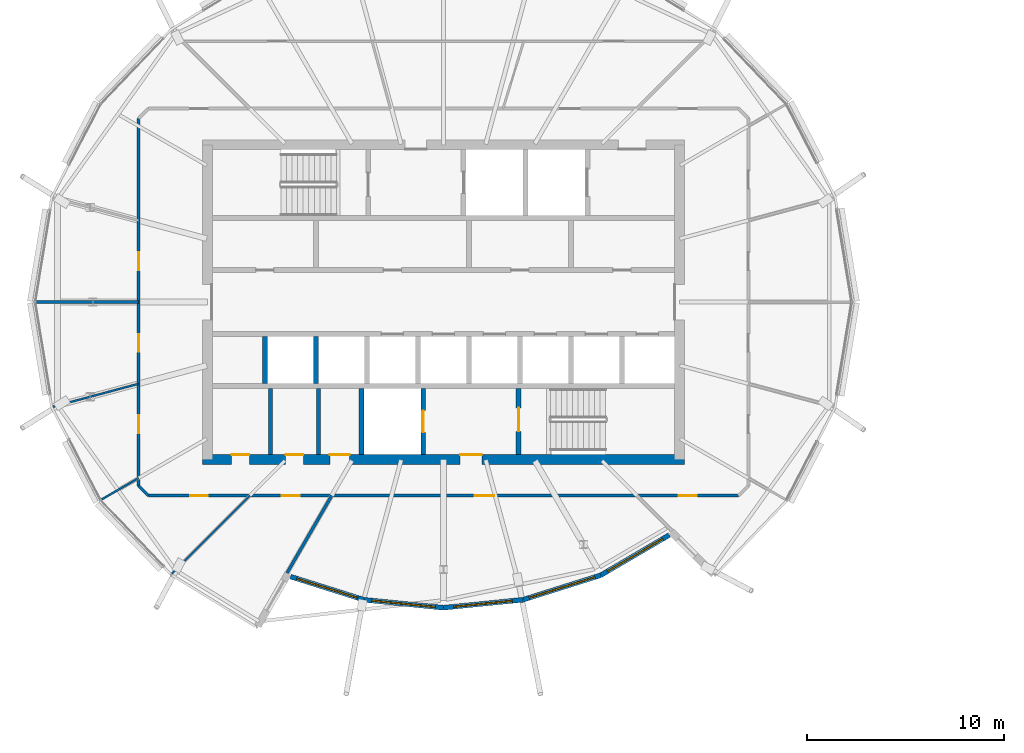
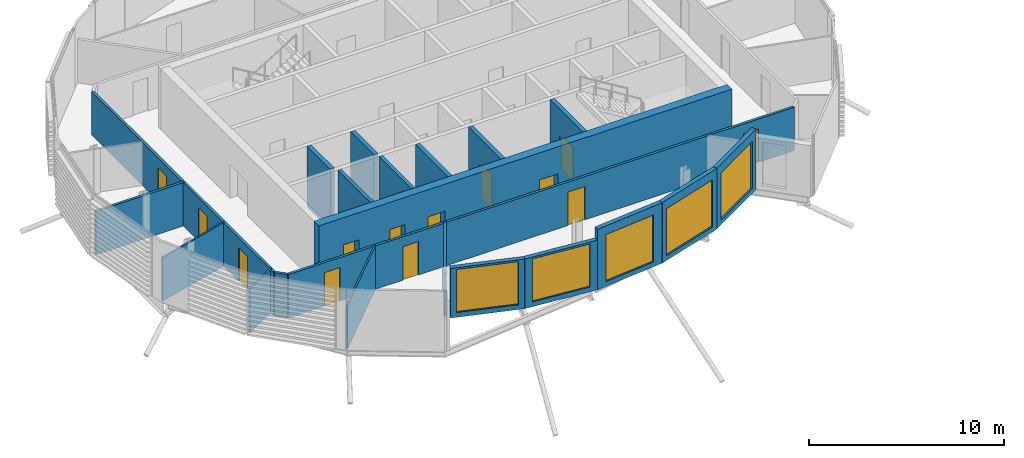
# One storey, part 16 of 35: 21 walls, 13 doors, 5 windows, 18 openings.
"""IFC4 building model written with IfcOpenShell, lengths in metres."""

from ifc_helpers import new_model, si_unit, direction, frame, frame_2d, origin, place, context, subcontext, project, spatial, rectangle, extrude, material, layer, layer_set, type_object, element, fill, save


model = new_model("IFC4")

# Units and contexts
model_context = context("Model", 3, precision=1e-05, world=origin(), true_north=direction((0.0, 1.0)))
body_context = subcontext(model_context, "Body", "Model", "MODEL_VIEW")
ifc_project = project(units=[si_unit("LENGTHUNIT", "METRE"), si_unit("AREAUNIT", "SQUARE_METRE"), si_unit("VOLUMEUNIT", "CUBIC_METRE"), si_unit("PLANEANGLEUNIT", "RADIAN"), si_unit("MASSUNIT", "GRAM", prefix="KILO")], contexts=[model_context])

# Site, building, storey
site_placement = place(None, origin())
site = spatial("IfcSite", under=ifc_project, at=site_placement, CompositionType="ELEMENT")
building_placement = place(site_placement, origin())
building = spatial("IfcBuilding", under=site, at=building_placement, Name="Rimbun Link Towers", CompositionType="ELEMENT")
storey_placement = place(building_placement, frame((0.0, 0.0, 225.699951171875)))
storey = spatial("IfcBuildingStorey", under=building, at=storey_placement, Name="L55", CompositionType="ELEMENT", Elevation=225.699951171875)

# Wall, opening, window
ifc_material_1 = material(Name="Dark enamelled glass spandrel on insulated aluminium backpan", Category="aluminium")
ifc_layer_1 = layer(ifc_material_1, 0.25)
ifc_layer_set_1 = layer_set([ifc_layer_1], Name="CS dark enamelled spandrel wall 250")
wall_type_1 = type_object("IfcWallType", Name="CS dark enamelled spandrel wall 250", PredefinedType="STANDARD", material=ifc_layer_set_1)
wall_1_placement = place(storey_placement, frame((-35.79931640625, -15.140625, 0.0), z_axis=(0.0, 0.0, 1.0), x_axis=(-0.953630833342, 0.300978792773, 0.0)))
wall_1 = element("IfcWall", 1, at=wall_1_placement, inside=storey, type_object=wall_type_1, Name="Crease spandrel wall", PredefinedType="STANDARD", context=body_context, shape_type="SweptSolid", body=[
    extrude(rectangle(XDim=3.90576171875, YDim=0.25, at=frame_2d((1.952880859375, 0.0))), origin(), (0.0, 0.0, 1.0), 3.116943359375),
])
opening_1_placement = place(wall_1_placement, frame((0.327880859375, 0.0, 0.300048828125)))
opening_1 = element("IfcOpeningElement", 2, at=opening_1_placement, cuts=wall_1, Name="Opening WR32H270", PredefinedType="OPENING", context=body_context, shape_type="SweptSolid", body=[
    extrude(rectangle(XDim=3.25, YDim=2.699951171875, at=frame_2d((1.625, 1.35009765625))), frame((0.0, 0.135009765625, 0.0), z_axis=(0.0, -1.0, 0.0), x_axis=(1.0, 0.0, 0.0)), (0.0, 0.0, 1.0), 0.27001953125),
])
ifc_material_2 = material(Name="Aluminium framed fixed window, dark tinted low-e glass", Category="aluminium")
window_type_1 = type_object("IfcWindowType", Name="WR ribbon window 3250X2700", PartitioningType="SINGLE_PANEL", PredefinedType="WINDOW", material=ifc_material_2)
window_1_placement = place(opening_1_placement, origin())
window_1 = element("IfcWindow", 3, at=window_1_placement, inside=storey, type_object=window_type_1, Name="Crease ribbon window", OverallHeight=2.699951171875, OverallWidth=3.25, PartitioningType="SINGLE_PANEL", PredefinedType="WINDOW", context=body_context, shape_type="SweptSolid", body=[
    extrude(rectangle(XDim=3.25, YDim=2.699951171875, at=frame_2d((1.625, 1.35009765625))), frame((0.0, 0.030029296875, 0.0), z_axis=(0.0, -1.0, 0.0), x_axis=(1.0, 0.0, 0.0)), (0.0, 0.0, 1.0), 0.06005859375),
])
fill(opening_1, window_1)

wall_2_placement = place(storey_placement, frame((-31.75, -15.5458984375, 0.0), z_axis=(0.0, 0.0, 1.0), x_axis=(-0.995028870999, 0.099586876032, 0.0)))
wall_2 = element("IfcWall", 4, at=wall_2_placement, inside=storey, type_object=wall_type_1, Name="Crease spandrel wall", PredefinedType="STANDARD", context=body_context, shape_type="SweptSolid", body=[
    extrude(rectangle(XDim=4.069580078125, YDim=0.25, at=frame_2d((2.03466796875, 0.0))), origin(), (0.0, 0.0, 1.0), 3.116943359375),
])
opening_2_placement = place(wall_2_placement, frame((0.40966796875, 0.0, 0.300048828125)))
opening_2 = element("IfcOpeningElement", 5, at=opening_2_placement, cuts=wall_2, Name="Opening WR32H270", PredefinedType="OPENING", context=body_context, shape_type="SweptSolid", body=[
    extrude(rectangle(XDim=3.25, YDim=2.699951171875, at=frame_2d((1.625, 1.35009765625))), frame((0.0, 0.135009765625, 0.0), z_axis=(0.0, -1.0, 0.0), x_axis=(1.0, 0.0, 0.0)), (0.0, 0.0, 1.0), 0.27001953125),
])
window_2_placement = place(opening_2_placement, origin())
window_2 = element("IfcWindow", 6, at=window_2_placement, inside=storey, type_object=window_type_1, Name="Crease ribbon window", OverallHeight=2.699951171875, OverallWidth=3.25, PartitioningType="SINGLE_PANEL", PredefinedType="WINDOW", context=body_context, shape_type="SweptSolid", body=[
    extrude(rectangle(XDim=3.25, YDim=2.699951171875, at=frame_2d((1.625, 1.35009765625))), frame((0.0, 0.030029296875, 0.0), z_axis=(0.0, -1.0, 0.0), x_axis=(1.0, 0.0, 0.0)), (0.0, 0.0, 1.0), 0.06005859375),
])
fill(opening_2, window_2)

wall_3_placement = place(storey_placement, frame((-27.70068359375, -15.140625, 0.0), z_axis=(0.0, 0.0, 1.0), x_axis=(-0.995028870999, -0.099586876032, 0.0)))
wall_3 = element("IfcWall", 7, at=wall_3_placement, inside=storey, type_object=wall_type_1, Name="Crease spandrel wall", PredefinedType="STANDARD", context=body_context, shape_type="SweptSolid", body=[
    extrude(rectangle(XDim=4.069580078125, YDim=0.25, at=frame_2d((2.03466796875, 0.0))), origin(), (0.0, 0.0, 1.0), 3.800048828125),
])
opening_3_placement = place(wall_3_placement, frame((0.545166015625, 0.0, 0.300048828125)))
opening_3 = element("IfcOpeningElement", 8, at=opening_3_placement, cuts=wall_3, Name="Opening WR30H295", PredefinedType="OPENING", context=body_context, shape_type="SweptSolid", body=[
    extrude(rectangle(XDim=3.0, YDim=2.949951171875, at=frame_2d((1.5, 1.47509765625))), frame((0.0, 0.135009765625, 0.0), z_axis=(0.0, -1.0, 0.0), x_axis=(1.0, 0.0, 0.0)), (0.0, 0.0, 1.0), 0.27001953125),
])
ifc_material_3 = material(Name="Aluminium framed fixed window, dark tinted low-e glass", Category="aluminium")
window_type_2 = type_object("IfcWindowType", Name="WR ribbon window 3000X2950", PartitioningType="SINGLE_PANEL", PredefinedType="WINDOW", material=ifc_material_3)
window_3_placement = place(opening_3_placement, origin())
window_3 = element("IfcWindow", 9, at=window_3_placement, inside=storey, type_object=window_type_2, Name="Crease ribbon window", OverallHeight=2.949951171875, OverallWidth=3.0, PartitioningType="SINGLE_PANEL", PredefinedType="WINDOW", context=body_context, shape_type="SweptSolid", body=[
    extrude(rectangle(XDim=3.0, YDim=2.949951171875, at=frame_2d((1.5, 1.47509765625))), frame((0.0, 0.030029296875, 0.0), z_axis=(0.0, -1.0, 0.0), x_axis=(1.0, 0.0, 0.0)), (0.0, 0.0, 1.0), 0.06005859375),
])
fill(opening_3, window_3)

wall_4_placement = place(storey_placement, frame((-23.74462890625, -13.89208984375, 0.0), z_axis=(0.0, 0.0, 1.0), x_axis=(-0.953634239099, -0.300968001651, 0.0)))
wall_4 = element("IfcWall", 10, at=wall_4_placement, inside=storey, type_object=wall_type_1, Name="Crease spandrel wall", PredefinedType="STANDARD", context=body_context, shape_type="SweptSolid", body=[
    extrude(rectangle(XDim=4.1484375, YDim=0.25, at=frame_2d((2.07421875, 0.0))), origin(), (0.0, 0.0, 1.0), 3.800048828125),
])
opening_4_placement = place(wall_4_placement, frame((0.32421875, 0.0, 0.300048828125)))
opening_4 = element("IfcOpeningElement", 11, at=opening_4_placement, cuts=wall_4, Name="Opening WR35H295", PredefinedType="OPENING", context=body_context, shape_type="SweptSolid", body=[
    extrude(rectangle(XDim=3.5, YDim=2.949951171875, at=frame_2d((1.75, 1.47509765625))), frame((0.0, 0.135009765625, 0.0), z_axis=(0.0, -1.0, 0.0), x_axis=(1.0, 0.0, 0.0)), (0.0, 0.0, 1.0), 0.27001953125),
])
ifc_material_4 = material(Name="Aluminium framed fixed window, dark tinted low-e glass", Category="aluminium")
window_type_3 = type_object("IfcWindowType", Name="WR ribbon window 3500X2950", PartitioningType="SINGLE_PANEL", PredefinedType="WINDOW", material=ifc_material_4)
window_4_placement = place(opening_4_placement, origin())
window_4 = element("IfcWindow", 12, at=window_4_placement, inside=storey, type_object=window_type_3, Name="Crease ribbon window", OverallHeight=2.949951171875, OverallWidth=3.5, PartitioningType="SINGLE_PANEL", PredefinedType="WINDOW", context=body_context, shape_type="SweptSolid", body=[
    extrude(rectangle(XDim=3.5, YDim=2.949951171875, at=frame_2d((1.75, 1.47509765625))), frame((0.0, 0.030029296875, 0.0), z_axis=(0.0, -1.0, 0.0), x_axis=(1.0, 0.0, 0.0)), (0.0, 0.0, 1.0), 0.06005859375),
])
fill(opening_4, window_4)

wall_5_placement = place(storey_placement, frame((-20.258544921875, -11.844970703125, 0.0), z_axis=(0.0, 0.0, 1.0), x_axis=(-0.86231432339, -0.506373387606, 0.0)))
wall_5 = element("IfcWall", 13, at=wall_5_placement, inside=storey, type_object=wall_type_1, Name="Crease spandrel wall", PredefinedType="STANDARD", context=body_context, shape_type="SweptSolid", body=[
    extrude(rectangle(XDim=4.042724609375, YDim=0.25, at=frame_2d((2.021484375, 0.0))), origin(), (0.0, 0.0, 1.0), 3.800048828125),
])
opening_5_placement = place(wall_5_placement, frame((0.396484375, 0.0, 0.300048828125)))
opening_5 = element("IfcOpeningElement", 14, at=opening_5_placement, cuts=wall_5, Name="Opening WR32H295", PredefinedType="OPENING", context=body_context, shape_type="SweptSolid", body=[
    extrude(rectangle(XDim=3.25, YDim=2.949951171875, at=frame_2d((1.625, 1.47509765625))), frame((0.0, 0.135009765625, 0.0), z_axis=(0.0, -1.0, 0.0), x_axis=(1.0, 0.0, 0.0)), (0.0, 0.0, 1.0), 0.27001953125),
])
ifc_material_5 = material(Name="Aluminium framed fixed window, dark tinted low-e glass", Category="aluminium")
window_type_4 = type_object("IfcWindowType", Name="WR ribbon window 3250X2950", PartitioningType="SINGLE_PANEL", PredefinedType="WINDOW", material=ifc_material_5)
window_5_placement = place(opening_5_placement, origin())
window_5 = element("IfcWindow", 15, at=window_5_placement, inside=storey, type_object=window_type_4, Name="Crease ribbon window", OverallHeight=2.949951171875, OverallWidth=3.25, PartitioningType="SINGLE_PANEL", PredefinedType="WINDOW", context=body_context, shape_type="SweptSolid", body=[
    extrude(rectangle(XDim=3.25, YDim=2.949951171875, at=frame_2d((1.625, 1.47509765625))), frame((0.0, 0.030029296875, 0.0), z_axis=(0.0, -1.0, 0.0), x_axis=(1.0, 0.0, 0.0)), (0.0, 0.0, 1.0), 0.06005859375),
])
fill(opening_5, window_5)

# Walls
ifc_material_6 = material(Name="Masonry blockwork", Category="masonry")
ifc_layer_2 = layer(ifc_material_6, 0.199951171875)
ifc_layer_set_2 = layer_set([ifc_layer_2], Name="Core partition 200")
wall_type_2 = type_object("IfcWallType", Name="Core partition 200", PredefinedType="PARTITIONING", material=ifc_layer_set_2)
for number, where, z_axis, x_axis, name in (
    (16, (-40.550048828125, -4.39990234375, 0.0), (0.0, 0.0, 1.0), (0.0, -1.0, 0.0), "L55 T1 core wall C1"),
    (17, (-38.10009765625, -4.39990234375, 0.0), (0.0, 0.0, 1.0), (0.0, -1.0, 0.0), "L55 T1 core wall C2"),
):
    element("IfcWall", number, at=place(storey_placement, frame(where, z_axis=z_axis, x_axis=x_axis)), inside=storey, type_object=wall_type_2, Name=name, PredefinedType="PARTITIONING", context=body_context, shape_type="SweptSolid", body=[
        extrude(rectangle(XDim=3.35009765625, YDim=0.199951171875, at=frame_2d((1.675048828125, 0.0))), origin(), (0.0, 0.0, 1.0), 3.800048828125),
    ])

# Wall, openings, doors
ifc_material_7 = material(Name="Concrete C60/75", Category="concrete")
ifc_layer_3 = layer(ifc_material_7, 0.5)
ifc_layer_set_3 = layer_set([ifc_layer_3], Name="Core shear wall 500")
wall_type_3 = type_object("IfcWallType", Name="Core shear wall 500", PredefinedType="SHEAR", material=ifc_layer_set_3)
wall_6_placement = place(storey_placement, frame((-44.0, -8.0, 0.0), z_axis=(0.0, 0.0, 1.0), x_axis=(1.0, 0.0, 0.0)))
wall_6 = element("IfcWall", 18, at=wall_6_placement, inside=storey, type_object=wall_type_3, Name="L55 T1 core wall S", PredefinedType="SHEAR", context=body_context, shape_type="SweptSolid", body=[
    extrude(rectangle(XDim=24.5, YDim=0.5, at=frame_2d((12.25, 0.0))), origin(), (0.0, 0.0, 1.0), 3.800048828125),
])
opening_6_placement = place(wall_6_placement, frame((13.10009765625, 0.0, 0.0)))
opening_6 = element("IfcOpeningElement", 19, at=opening_6_placement, cuts=wall_6, Name="Opening C1DCF01S", PredefinedType="OPENING", context=body_context, shape_type="SweptSolid", body=[
    extrude(rectangle(XDim=1.10009765625, YDim=2.10009765625, at=frame_2d((0.550048828125, 1.050048828125))), frame((0.0, 0.260009765625, 0.0), z_axis=(0.0, -1.0, 0.0), x_axis=(1.0, 0.0, 0.0)), (0.0, 0.0, 1.0), 0.52001953125),
])
opening_7_placement = place(wall_6_placement, frame((1.47509765625, 0.0, 0.0)))
opening_7 = element("IfcOpeningElement", 20, at=opening_7_placement, cuts=wall_6, Name="Opening C1DWC02S", PredefinedType="OPENING", context=body_context, shape_type="SweptSolid", body=[
    extrude(rectangle(XDim=0.89990234375, YDim=2.10009765625, at=frame_2d((0.449951171875, 1.050048828125))), frame((0.0, 0.260009765625, 0.0), z_axis=(0.0, -1.0, 0.0), x_axis=(1.0, 0.0, 0.0)), (0.0, 0.0, 1.0), 0.52001953125),
])
opening_8_placement = place(wall_6_placement, frame((4.22509765625, 0.0, 0.0)))
opening_8 = element("IfcOpeningElement", 21, at=opening_8_placement, cuts=wall_6, Name="Opening C1DWC03S", PredefinedType="OPENING", context=body_context, shape_type="SweptSolid", body=[
    extrude(rectangle(XDim=0.89990234375, YDim=2.10009765625, at=frame_2d((0.449951171875, 1.050048828125))), frame((0.0, 0.260009765625, 0.0), z_axis=(0.0, -1.0, 0.0), x_axis=(1.0, 0.0, 0.0)), (0.0, 0.0, 1.0), 0.52001953125),
])
opening_9_placement = place(wall_6_placement, frame((6.47509765625, 0.0, 0.0)))
opening_9 = element("IfcOpeningElement", 22, at=opening_9_placement, cuts=wall_6, Name="Opening C1DAW04S", PredefinedType="OPENING", context=body_context, shape_type="SweptSolid", body=[
    extrude(rectangle(XDim=1.0, YDim=2.10009765625, at=frame_2d((0.5, 1.050048828125))), frame((0.0, 0.260009765625, 0.0), z_axis=(0.0, -1.0, 0.0), x_axis=(1.0, 0.0, 0.0)), (0.0, 0.0, 1.0), 0.52001953125),
])
ifc_material_8 = material(Name="Timber", Category="wood")
door_type_1 = type_object("IfcDoorType", Name="Accessible WC door", OperationType="SINGLE_SWING_LEFT", PredefinedType="DOOR", material=ifc_material_8)
door_1_placement = place(opening_9_placement, origin())
door_1 = element("IfcDoor", 23, at=door_1_placement, inside=storey, type_object=door_type_1, Name="L55 T1 accessible wc door", OperationType="SINGLE_SWING_RIGHT", OverallHeight=2.10009765625, OverallWidth=1.0, PredefinedType="DOOR", context=body_context, shape_type="SweptSolid", body=[
    extrude(rectangle(XDim=1.0, YDim=2.10009765625, at=frame_2d((0.5, 1.050048828125))), frame((0.0, 0.25, 0.0), z_axis=(0.0, -1.0, 0.0), x_axis=(1.0, 0.0, 0.0)), (0.0, 0.0, 1.0), 0.050048828125),
])
fill(opening_9, door_1)
ifc_material_9 = material(Name="Steel fire door set", Category="steel")
door_type_2 = type_object("IfcDoorType", Name="Core fire door single", OperationType="SINGLE_SWING_LEFT", PredefinedType="DOOR", material=ifc_material_9)
door_2_placement = place(opening_6_placement, origin())
door_2 = element("IfcDoor", 24, at=door_2_placement, inside=storey, type_object=door_type_2, Name="L55 T1 firefighting lobby s door", OperationType="SINGLE_SWING_RIGHT", OverallHeight=2.10009765625, OverallWidth=1.10009765625, PredefinedType="DOOR", context=body_context, shape_type="SweptSolid", body=[
    extrude(rectangle(XDim=1.10009765625, YDim=2.10009765625, at=frame_2d((0.550048828125, 1.050048828125))), frame((0.0, 0.25, 0.0), z_axis=(0.0, -1.0, 0.0), x_axis=(1.0, 0.0, 0.0)), (0.0, 0.0, 1.0), 0.050048828125),
])
fill(opening_6, door_2)
ifc_material_10 = material(Name="Timber", Category="wood")
door_type_3 = type_object("IfcDoorType", Name="WC door", OperationType="SINGLE_SWING_LEFT", PredefinedType="DOOR", material=ifc_material_10)
door_3_placement = place(opening_7_placement, origin())
door_3 = element("IfcDoor", 25, at=door_3_placement, inside=storey, type_object=door_type_3, Name="L55 T1 male wc door", OperationType="SINGLE_SWING_LEFT", OverallHeight=2.10009765625, OverallWidth=0.89990234375, PredefinedType="DOOR", context=body_context, shape_type="SweptSolid", body=[
    extrude(rectangle(XDim=0.89990234375, YDim=2.10009765625, at=frame_2d((0.449951171875, 1.050048828125))), frame((0.0, 0.25, 0.0), z_axis=(0.0, -1.0, 0.0), x_axis=(1.0, 0.0, 0.0)), (0.0, 0.0, 1.0), 0.050048828125),
])
fill(opening_7, door_3)
door_4_placement = place(opening_8_placement, origin())
door_4 = element("IfcDoor", 26, at=door_4_placement, inside=storey, type_object=door_type_3, Name="L55 T1 female wc door", OperationType="SINGLE_SWING_RIGHT", OverallHeight=2.10009765625, OverallWidth=0.89990234375, PredefinedType="DOOR", context=body_context, shape_type="SweptSolid", body=[
    extrude(rectangle(XDim=0.89990234375, YDim=2.10009765625, at=frame_2d((0.449951171875, 1.050048828125))), frame((0.0, 0.25, 0.0), z_axis=(0.0, -1.0, 0.0), x_axis=(1.0, 0.0, 0.0)), (0.0, 0.0, 1.0), 0.050048828125),
])
fill(opening_8, door_4)

ifc_material_11 = material(Name="Plasterboard on steel stud, mineral wool", Category="steel")
ifc_layer_4 = layer(ifc_material_11, 0.14990234375)
ifc_layer_set_4 = layer_set([ifc_layer_4], Name="Corridor wall EI 30 150 mm")
wall_type_4 = type_object("IfcWallType", Name="Corridor wall EI 30 150 mm", PredefinedType="PARTITIONING", material=ifc_layer_set_4)
wall_7_placement = place(storey_placement, frame((-16.746337890625, -9.844970703125, 0.0), z_axis=(0.0, 0.0, 1.0), x_axis=(-1.0, 0.0, 0.0)))
wall_7 = element("IfcWall", 27, at=wall_7_placement, inside=storey, type_object=wall_type_4, Name="Corridor wall EI 30 150 mm", PredefinedType="PARTITIONING", context=body_context, shape_type="SweptSolid", body=[
    extrude(rectangle(XDim=30.00732421875, YDim=0.14990234375, at=frame_2d((15.003662109375, 0.0))), origin(), (0.0, 0.0, 1.0), 2.72216796875),
])
opening_10_placement = place(wall_7_placement, frame((2.12939453125, 0.0, 0.0)))
opening_10 = element("IfcOpeningElement", 28, at=opening_10_placement, cuts=wall_7, Name="Opening D02", PredefinedType="OPENING", context=body_context, shape_type="SweptSolid", body=[
    extrude(rectangle(XDim=0.89990234375, YDim=2.10009765625, at=frame_2d((0.449951171875, 1.050048828125))), frame((0.0, 0.0849609375, 0.0), z_axis=(0.0, -1.0, 0.0), x_axis=(1.0, 0.0, 0.0)), (0.0, 0.0, 1.0), 0.169921875),
])
opening_11_placement = place(wall_7_placement, frame((26.97802734375, 0.0, 0.0)))
opening_11 = element("IfcOpeningElement", 29, at=opening_11_placement, cuts=wall_7, Name="Opening D02", PredefinedType="OPENING", context=body_context, shape_type="SweptSolid", body=[
    extrude(rectangle(XDim=0.89990234375, YDim=2.10009765625, at=frame_2d((0.449951171875, 1.050048828125))), frame((0.0, 0.0849609375, 0.0), z_axis=(0.0, -1.0, 0.0), x_axis=(1.0, 0.0, 0.0)), (0.0, 0.0, 1.0), 0.169921875),
])
opening_12_placement = place(wall_7_placement, frame((22.318115234375, 0.0, 0.0)))
opening_12 = element("IfcOpeningElement", 30, at=opening_12_placement, cuts=wall_7, Name="Opening D02", PredefinedType="OPENING", context=body_context, shape_type="SweptSolid", body=[
    extrude(rectangle(XDim=0.89990234375, YDim=2.10009765625, at=frame_2d((0.449951171875, 1.050048828125))), frame((0.0, 0.0849609375, 0.0), z_axis=(0.0, -1.0, 0.0), x_axis=(1.0, 0.0, 0.0)), (0.0, 0.0, 1.0), 0.169921875),
])
opening_13_placement = place(wall_7_placement, frame((12.423095703125, 0.0, 0.0)))
opening_13 = element("IfcOpeningElement", 31, at=opening_13_placement, cuts=wall_7, Name="Opening D01", PredefinedType="OPENING", context=body_context, shape_type="SweptSolid", body=[
    extrude(rectangle(XDim=1.0, YDim=2.10009765625, at=frame_2d((0.5, 1.050048828125))), frame((0.0, 0.0849609375, 0.0), z_axis=(0.0, -1.0, 0.0), x_axis=(1.0, 0.0, 0.0)), (0.0, 0.0, 1.0), 0.169921875),
])
ifc_material_12 = material(Name="Fire-resisting timber door leaf", Category="wood")
door_type_4 = type_object("IfcDoorType", Name="Fire door FD30S 1000", OperationType="NOTDEFINED", PredefinedType="DOOR", material=ifc_material_12)
door_5_placement = place(opening_13_placement, origin())
door_5 = element("IfcDoor", 32, at=door_5_placement, inside=storey, type_object=door_type_4, Name="Fire door FD30S 1000 to Terrace office", OperationType="SINGLE_SWING_RIGHT", OverallHeight=2.10009765625, OverallWidth=1.0, PredefinedType="DOOR", context=body_context, shape_type="SweptSolid", body=[
    extrude(rectangle(XDim=1.0, YDim=2.10009765625, at=frame_2d((0.5, 1.050048828125))), frame((0.0, 0.02490234375, 0.0), z_axis=(0.0, -1.0, 0.0), x_axis=(1.0, 0.0, 0.0)), (0.0, 0.0, 1.0), 0.050048828125),
])
fill(opening_13, door_5)
ifc_material_13 = material(Name="Fire-resisting timber door leaf", Category="wood")
door_type_5 = type_object("IfcDoorType", Name="Fire door FD30S 900", OperationType="NOTDEFINED", PredefinedType="DOOR", material=ifc_material_13)
door_6_placement = place(opening_10_placement, origin())
door_6 = element("IfcDoor", 33, at=door_6_placement, inside=storey, type_object=door_type_5, Name="Fire door FD30S 900 to Meeting room", OperationType="SINGLE_SWING_LEFT", OverallHeight=2.10009765625, OverallWidth=0.89990234375, PredefinedType="DOOR", context=body_context, shape_type="SweptSolid", body=[
    extrude(rectangle(XDim=0.89990234375, YDim=2.10009765625, at=frame_2d((0.449951171875, 1.050048828125))), frame((0.0, 0.02490234375, 0.0), z_axis=(0.0, -1.0, 0.0), x_axis=(1.0, 0.0, 0.0)), (0.0, 0.0, 1.0), 0.050048828125),
])
fill(opening_10, door_6)
door_7_placement = place(opening_11_placement, origin())
door_7 = element("IfcDoor", 34, at=door_7_placement, inside=storey, type_object=door_type_5, Name="Fire door FD30S 900 to Open office", OperationType="SINGLE_SWING_RIGHT", OverallHeight=2.10009765625, OverallWidth=0.89990234375, PredefinedType="DOOR", context=body_context, shape_type="SweptSolid", body=[
    extrude(rectangle(XDim=0.89990234375, YDim=2.10009765625, at=frame_2d((0.449951171875, 1.050048828125))), frame((0.0, 0.02490234375, 0.0), z_axis=(0.0, -1.0, 0.0), x_axis=(1.0, 0.0, 0.0)), (0.0, 0.0, 1.0), 0.050048828125),
])
fill(opening_11, door_7)
door_8_placement = place(opening_12_placement, origin())
door_8 = element("IfcDoor", 35, at=door_8_placement, inside=storey, type_object=door_type_5, Name="Fire door FD30S 900 to Boardroom", OperationType="SINGLE_SWING_LEFT", OverallHeight=2.10009765625, OverallWidth=0.89990234375, PredefinedType="DOOR", context=body_context, shape_type="SweptSolid", body=[
    extrude(rectangle(XDim=0.89990234375, YDim=2.10009765625, at=frame_2d((0.449951171875, 1.050048828125))), frame((0.0, 0.02490234375, 0.0), z_axis=(0.0, -1.0, 0.0), x_axis=(1.0, 0.0, 0.0)), (0.0, 0.0, 1.0), 0.050048828125),
])
fill(opening_12, door_8)

# Wall
wall_8_placement = place(storey_placement, frame((-47.2548828125, -9.34375, 0.0), z_axis=(0.0, 0.0, 1.0), x_axis=(0.707106781187, -0.707106781187, 0.0)))
element("IfcWall", 36, at=wall_8_placement, inside=storey, type_object=wall_type_4, Name="Corridor wall EI 30 150 mm", PredefinedType="PARTITIONING", context=body_context, shape_type="SweptSolid", body=[
    extrude(rectangle(XDim=0.708740234375, YDim=0.14990234375, at=frame_2d((0.3544921875, 0.0))), origin(), (0.0, 0.0, 1.0), 2.72216796875),
])

# Wall, openings, doors
wall_9_placement = place(storey_placement, frame((-47.2548828125, -9.34375, 0.0), z_axis=(0.0, 0.0, 1.0), x_axis=(0.0, 1.0, 0.0)))
wall_9 = element("IfcWall", 37, at=wall_9_placement, inside=storey, type_object=wall_type_4, Name="Corridor wall EI 30 150 mm", PredefinedType="PARTITIONING", context=body_context, shape_type="SweptSolid", body=[
    extrude(rectangle(XDim=18.6875, YDim=0.14990234375, at=frame_2d((9.34375, 0.0))), origin(), (0.0, 0.0, 1.0), 2.72216796875),
])
opening_14_placement = place(wall_9_placement, frame((10.970947265625, 0.0, 0.0)))
opening_14 = element("IfcOpeningElement", 38, at=opening_14_placement, cuts=wall_9, Name="Opening D02", PredefinedType="OPENING", context=body_context, shape_type="SweptSolid", body=[
    extrude(rectangle(XDim=0.89990234375, YDim=2.10009765625, at=frame_2d((0.449951171875, 1.050048828125))), frame((0.0, 0.0849609375, 0.0), z_axis=(0.0, -1.0, 0.0), x_axis=(1.0, 0.0, 0.0)), (0.0, 0.0, 1.0), 0.169921875),
])
opening_15_placement = place(wall_9_placement, frame((6.81640625, 0.0, 0.0)))
opening_15 = element("IfcOpeningElement", 39, at=opening_15_placement, cuts=wall_9, Name="Opening D02", PredefinedType="OPENING", context=body_context, shape_type="SweptSolid", body=[
    extrude(rectangle(XDim=0.89990234375, YDim=2.10009765625, at=frame_2d((0.449951171875, 1.050048828125))), frame((0.0, 0.0849609375, 0.0), z_axis=(0.0, -1.0, 0.0), x_axis=(1.0, 0.0, 0.0)), (0.0, 0.0, 1.0), 0.169921875),
])
opening_16_placement = place(wall_9_placement, frame((2.676513671875, 0.0, 0.0)))
opening_16 = element("IfcOpeningElement", 40, at=opening_16_placement, cuts=wall_9, Name="Opening D02", PredefinedType="OPENING", context=body_context, shape_type="SweptSolid", body=[
    extrude(rectangle(XDim=0.89990234375, YDim=2.10009765625, at=frame_2d((0.449951171875, 1.050048828125))), frame((0.0, 0.0849609375, 0.0), z_axis=(0.0, -1.0, 0.0), x_axis=(1.0, 0.0, 0.0)), (0.0, 0.0, 1.0), 0.169921875),
])
door_9_placement = place(opening_14_placement, origin())
door_9 = element("IfcDoor", 41, at=door_9_placement, inside=storey, type_object=door_type_5, Name="Fire door FD30S 900 to Meeting room", OperationType="SINGLE_SWING_LEFT", OverallHeight=2.10009765625, OverallWidth=0.89990234375, PredefinedType="DOOR", context=body_context, shape_type="SweptSolid", body=[
    extrude(rectangle(XDim=0.89990234375, YDim=2.10009765625, at=frame_2d((0.449951171875, 1.050048828125))), frame((0.0, 0.02490234375, 0.0), z_axis=(0.0, -1.0, 0.0), x_axis=(1.0, 0.0, 0.0)), (0.0, 0.0, 1.0), 0.050048828125),
])
fill(opening_14, door_9)
door_10_placement = place(opening_15_placement, origin())
door_10 = element("IfcDoor", 42, at=door_10_placement, inside=storey, type_object=door_type_5, Name="Fire door FD30S 900 to Meeting room", OperationType="SINGLE_SWING_RIGHT", OverallHeight=2.10009765625, OverallWidth=0.89990234375, PredefinedType="DOOR", context=body_context, shape_type="SweptSolid", body=[
    extrude(rectangle(XDim=0.89990234375, YDim=2.10009765625, at=frame_2d((0.449951171875, 1.050048828125))), frame((0.0, 0.02490234375, 0.0), z_axis=(0.0, -1.0, 0.0), x_axis=(1.0, 0.0, 0.0)), (0.0, 0.0, 1.0), 0.050048828125),
])
fill(opening_15, door_10)
door_11_placement = place(opening_16_placement, origin())
door_11 = element("IfcDoor", 43, at=door_11_placement, inside=storey, type_object=door_type_5, Name="Fire door FD30S 900 to Executive office", OperationType="SINGLE_SWING_LEFT", OverallHeight=2.10009765625, OverallWidth=0.89990234375, PredefinedType="DOOR", context=body_context, shape_type="SweptSolid", body=[
    extrude(rectangle(XDim=0.89990234375, YDim=2.10009765625, at=frame_2d((0.449951171875, 1.050048828125))), frame((0.0, 0.02490234375, 0.0), z_axis=(0.0, -1.0, 0.0), x_axis=(1.0, 0.0, 0.0)), (0.0, 0.0, 1.0), 0.050048828125),
])
fill(opening_16, door_11)

# Walls
ifc_material_14 = material(Name="Plasterboard on steel stud", Category="steel")
ifc_layer_5 = layer(ifc_material_14, 0.10009765625)
ifc_layer_set_5 = layer_set([ifc_layer_5], Name="Plasterboard partition 100 mm")
wall_type_5 = type_object("IfcWallType", Name="Plasterboard partition 100 mm", PredefinedType="PARTITIONING", material=ifc_layer_set_5)
wall_10_placement = place(storey_placement, frame((-51.6171875, -5.323486328125, 0.0), z_axis=(0.0, 0.0, 1.0), x_axis=(0.965921990313, 0.258833360735, 0.0)))
element("IfcWall", 44, at=wall_10_placement, inside=storey, type_object=wall_type_5, Name="Plasterboard partition 100 mm", PredefinedType="PARTITIONING", context=body_context, shape_type="SweptSolid", body=[
    extrude(rectangle(XDim=4.51611328125, YDim=0.10009765625, at=frame_2d((2.258056640625, 0.0))), origin(), (0.0, 0.0, 1.0), 2.72216796875),
])
wall_11_placement = place(storey_placement, frame((-49.168212890625, -10.056396484375, 0.0), z_axis=(0.0, 0.0, 1.0), x_axis=(0.866058613861, 0.499942474047, 0.0)))
element("IfcWall", 45, at=wall_11_placement, inside=storey, type_object=wall_type_5, Name="Plasterboard partition 100 mm", PredefinedType="PARTITIONING", context=body_context, shape_type="SweptSolid", body=[
    extrude(rectangle(XDim=2.209228515625, YDim=0.10009765625, at=frame_2d((1.1044921875, 0.0))), origin(), (0.0, 0.0, 1.0), 2.72216796875),
])
wall_12_placement = place(storey_placement, frame((-45.56494140625, -13.81494140625, 0.0), z_axis=(0.0, 0.0, 1.0), x_axis=(0.707106781187, 0.707106781187, 0.0)))
element("IfcWall", 46, at=wall_12_placement, inside=storey, type_object=wall_type_5, Name="Plasterboard partition 100 mm", PredefinedType="PARTITIONING", context=body_context, shape_type="SweptSolid", body=[
    extrude(rectangle(XDim=5.614501953125, YDim=0.10009765625, at=frame_2d((2.80712890625, 0.0))), origin(), (0.0, 0.0, 1.0), 2.72216796875),
])
ifc_material_15 = material(Name="Concrete C60/75", Category="concrete")
ifc_layer_6 = layer(ifc_material_15, 0.25)
ifc_layer_set_6 = layer_set([ifc_layer_6], Name="Shaft wall 250")
wall_type_6 = type_object("IfcWallType", Name="Shaft wall 250", PredefinedType="SHEAR", material=ifc_layer_set_6)
for number, where, z_axis, x_axis, name in (
    (47, (-40.83056640625, -4.14990234375, 0.0), (0.0, 0.0, 1.0), (0.0, 1.0, 0.0), "L55 T1 core wall DS0"),
    (48, (-38.236083984375, -4.14990234375, 0.0), (0.0, 0.0, 1.0), (0.0, 1.0, 0.0), "L55 T1 core wall DS1"),
):
    element("IfcWall", number, at=place(storey_placement, frame(where, z_axis=z_axis, x_axis=x_axis)), inside=storey, type_object=wall_type_6, Name=name, PredefinedType="SHEAR", context=body_context, shape_type="SweptSolid", body=[
        extrude(rectangle(XDim=2.39990234375, YDim=0.25, at=frame_2d((1.199951171875, 0.0))), origin(), (0.0, 0.0, 1.0), 3.800048828125),
    ])

# Wall, opening, door
wall_13_placement = place(storey_placement, frame((-27.925048828125, -4.39990234375, 0.0), z_axis=(0.0, 0.0, 1.0), x_axis=(0.0, -1.0, 0.0)))
wall_13 = element("IfcWall", 49, at=wall_13_placement, inside=storey, type_object=wall_type_6, Name="L55 T1 core wall B1", PredefinedType="SHEAR", context=body_context, shape_type="SweptSolid", body=[
    extrude(rectangle(XDim=3.35009765625, YDim=0.25, at=frame_2d((1.675048828125, 0.0))), origin(), (0.0, 0.0, 1.0), 3.800048828125),
])
opening_17_placement = place(wall_13_placement, frame((0.97509765625, 0.0, 0.0)))
opening_17 = element("IfcOpeningElement", 50, at=opening_17_placement, cuts=wall_13, Name="Opening C1DST01B1", PredefinedType="OPENING", context=body_context, shape_type="SweptSolid", body=[
    extrude(rectangle(XDim=1.199951171875, YDim=2.10009765625, at=frame_2d((0.60009765625, 1.050048828125))), frame((0.0, 0.135009765625, 0.0), z_axis=(0.0, -1.0, 0.0), x_axis=(1.0, 0.0, 0.0)), (0.0, 0.0, 1.0), 0.27001953125),
])
ifc_material_16 = material(Name="Steel fire door set", Category="steel")
door_type_6 = type_object("IfcDoorType", Name="Stair door", OperationType="SINGLE_SWING_LEFT", PredefinedType="DOOR", material=ifc_material_16)
door_12_placement = place(opening_17_placement, origin())
door_12 = element("IfcDoor", 51, at=door_12_placement, inside=storey, type_object=door_type_6, Name="L55 T1 stair b door", OperationType="SINGLE_SWING_RIGHT", OverallHeight=2.10009765625, OverallWidth=1.199951171875, PredefinedType="DOOR", context=body_context, shape_type="SweptSolid", body=[
    extrude(rectangle(XDim=1.199951171875, YDim=2.10009765625, at=frame_2d((0.60009765625, 1.050048828125))), frame((0.0, 0.02490234375, 0.0), z_axis=(0.0, -1.0, 0.0), x_axis=(1.0, 0.0, 0.0)), (0.0, 0.0, 1.0), 0.050048828125),
])
fill(opening_17, door_12)

wall_14_placement = place(storey_placement, frame((-32.77490234375, -4.39990234375, 0.0), z_axis=(0.0, 0.0, 1.0), x_axis=(0.0, -1.0, 0.0)))
wall_14 = element("IfcWall", 52, at=wall_14_placement, inside=storey, type_object=wall_type_6, Name="L55 T1 core wall B2", PredefinedType="SHEAR", context=body_context, shape_type="SweptSolid", body=[
    extrude(rectangle(XDim=3.35009765625, YDim=0.25, at=frame_2d((1.675048828125, 0.0))), origin(), (0.0, 0.0, 1.0), 3.800048828125),
])
opening_18_placement = place(wall_14_placement, frame((1.125, 0.0, 0.0)))
opening_18 = element("IfcOpeningElement", 53, at=opening_18_placement, cuts=wall_14, Name="Opening LD-T1-FF2", PredefinedType="OPENING", context=body_context, shape_type="SweptSolid", body=[
    extrude(rectangle(XDim=1.10009765625, YDim=2.10009765625, at=frame_2d((0.550048828125, 1.050048828125))), frame((0.0, 0.135009765625, 0.0), z_axis=(0.0, -1.0, 0.0), x_axis=(1.0, 0.0, 0.0)), (0.0, 0.0, 1.0), 0.27001953125),
])
ifc_material_17 = material(Name="Stainless steel grade 316", Category="steel")
door_type_7 = type_object("IfcDoorType", Name="Lift landing door", OperationType="DOUBLE_DOOR_SLIDING", PredefinedType="DOOR", material=ifc_material_17)
door_13_placement = place(opening_18_placement, origin())
door_13 = element("IfcDoor", 54, at=door_13_placement, inside=storey, type_object=door_type_7, Name="L55 T1 lift FF2 landing door", OperationType="DOUBLE_DOOR_SLIDING", OverallHeight=2.10009765625, OverallWidth=1.10009765625, PredefinedType="DOOR", context=body_context, shape_type="SweptSolid", body=[
    extrude(rectangle(XDim=1.10009765625, YDim=2.10009765625, at=frame_2d((0.550048828125, 1.050048828125))), frame((0.0, 0.02490234375, 0.0), z_axis=(0.0, -1.0, 0.0), x_axis=(1.0, 0.0, 0.0)), (0.0, 0.0, 1.0), 0.050048828125),
])
fill(opening_18, door_13)

# Walls
wall_15_placement = place(storey_placement, frame((-35.925048828125, -4.39990234375, 0.0), z_axis=(0.0, 0.0, 1.0), x_axis=(0.0, -1.0, 0.0)))
element("IfcWall", 55, at=wall_15_placement, inside=storey, type_object=wall_type_6, Name="L55 T1 core wall B3", PredefinedType="SHEAR", context=body_context, shape_type="SweptSolid", body=[
    extrude(rectangle(XDim=3.35009765625, YDim=0.25, at=frame_2d((1.675048828125, 0.0))), origin(), (0.0, 0.0, 1.0), 3.800048828125),
])
ifc_material_18 = material(Name="Plasterboard on steel stud, mineral wool", Category="steel")
ifc_layer_7 = layer(ifc_material_18, 0.14990234375)
ifc_layer_set_7 = layer_set([ifc_layer_7], Name="Tenancy separation wall EI 60 150 mm")
wall_type_7 = type_object("IfcWallType", Name="Tenancy separation wall EI 60 150 mm", PredefinedType="PARTITIONING", material=ifc_layer_set_7)
wall_16_placement = place(storey_placement, frame((-47.2548828125, 0.0, 0.0), z_axis=(0.0, 0.0, 1.0), x_axis=(-1.0, 0.0, 0.0)))
element("IfcWall", 56, at=wall_16_placement, inside=storey, type_object=wall_type_7, Name="Tenancy separation wall EI 60 150 mm", PredefinedType="PARTITIONING", context=body_context, shape_type="SweptSolid", body=[
    extrude(rectangle(XDim=5.23779296875, YDim=0.14990234375, at=frame_2d((2.618896484375, 0.0))), origin(), (0.0, 0.0, 1.0), 2.72216796875),
])
wall_17_placement = place(storey_placement, frame((-37.43408203125, -9.844970703125, 0.0), z_axis=(0.0, 0.0, 1.0), x_axis=(-0.499967598186, -0.866044110172, 0.0)))
element("IfcWall", 57, at=wall_17_placement, inside=storey, type_object=wall_type_7, Name="Tenancy separation wall EI 60 150 mm", PredefinedType="PARTITIONING", context=body_context, shape_type="SweptSolid", body=[
    extrude(rectangle(XDim=4.540283203125, YDim=0.14990234375, at=frame_2d((2.27001953125, 0.0))), origin(), (0.0, 0.0, 1.0), 2.72216796875),
])

save(model, "model.ifc")
